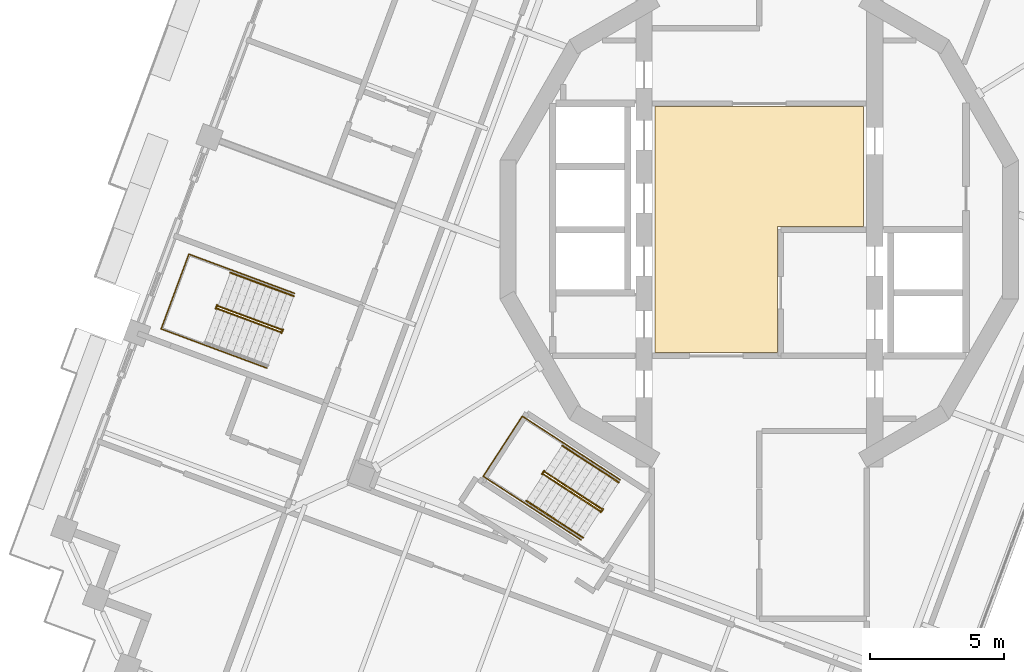
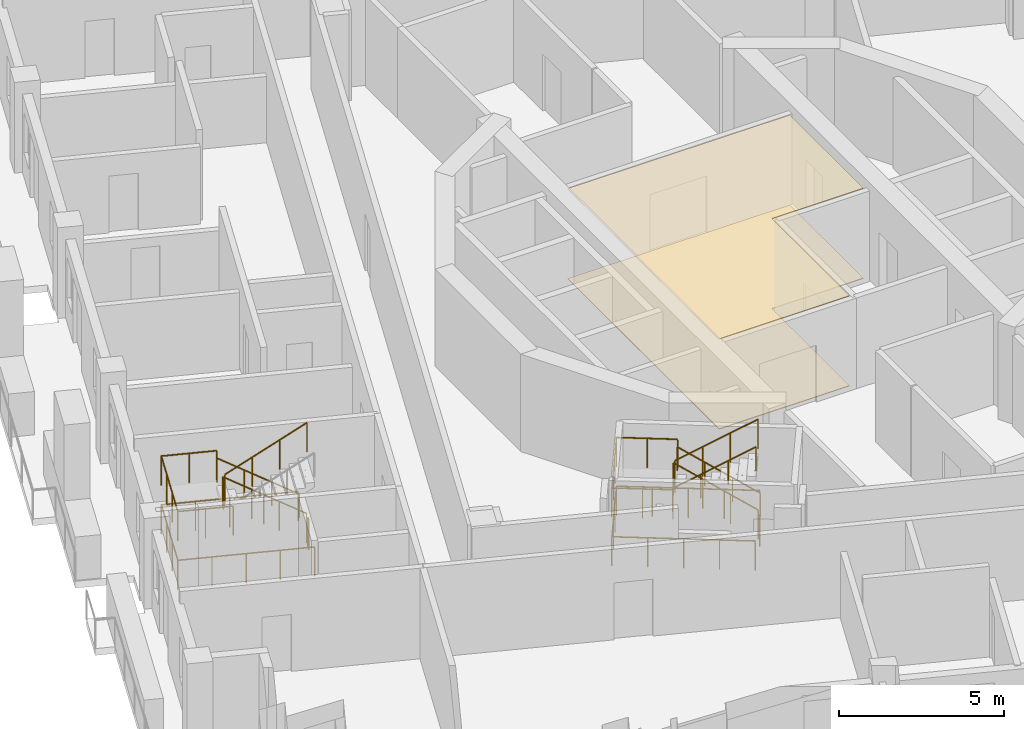
# One storey, part 14 of 19: 13 railings, 2 coverings.
"""IFC4 building model written with IfcOpenShell, lengths in metres."""

from ifc_helpers import new_model, si_unit, direction, frame, origin, origin_2d, place, context, subcontext, project, spatial, polyline, circle, outline, extrude, material, layer, layer_set, type_object, element, save


model = new_model("IFC4")

# Units and contexts
model_context = context("Model", 3, precision=1e-05, world=origin(), true_north=direction((0.0, 1.0)))
body_context = subcontext(model_context, "Body", "Model", "MODEL_VIEW")
ifc_project = project(units=[si_unit("LENGTHUNIT", "METRE"), si_unit("AREAUNIT", "SQUARE_METRE"), si_unit("VOLUMEUNIT", "CUBIC_METRE"), si_unit("PLANEANGLEUNIT", "RADIAN"), si_unit("MASSUNIT", "GRAM", prefix="KILO")], contexts=[model_context])

# Site, building, storey
site_placement = place(None, origin())
site = spatial("IfcSite", under=ifc_project, at=site_placement, CompositionType="ELEMENT")
building_placement = place(site_placement, origin())
building = spatial("IfcBuilding", under=site, at=building_placement, Name="Cantera Rosa Tower", CompositionType="ELEMENT")
storey_placement = place(building_placement, frame((0.0, 0.0, 331.300048828125)))
storey = spatial("IfcBuildingStorey", under=building, at=storey_placement, Name="L74", CompositionType="ELEMENT", Elevation=331.300048828125)

# Railings
ifc_material_1 = material(Name="Steel S355J2 (EN 10025-2)", Category="steel")
railing_type_1 = type_object("IfcRailingType", Name="STAIR GUARD 1100", PredefinedType="GUARDRAIL", material=ifc_material_1)
railing_1_placement = place(storey_placement, frame((-17.802490234375, -3.721923828125, 0.179931640625)))
element("IfcRailing", 1, at=railing_1_placement, inside=storey, type_object=railing_type_1, Name="L74 ST-63 stair guard 1", PredefinedType="GUARDRAIL", context=body_context, shape_type="SweptSolid", body=[
    extrude(circle(Radius=0.02392578125, at=origin_2d()), frame((0.0, 0.0, 1.076171875), z_axis=(-0.788747577403, 0.292306804437, 0.540771662738), x_axis=(-0.347500508527, -0.937679794265, 0.0)), (0.0, 0.0, 1.0), 2.995849609375),
    extrude(circle(Radius=0.02392578125, at=origin_2d()), frame((-2.363037109375, 0.875732421875, 2.6962890625), z_axis=(-0.671593765389, 0.740919573429, 0.0), x_axis=(-0.740919573429, -0.671593765389, 0.0)), (0.0, 0.0, 1.0), 0.056396484375),
    extrude(circle(Radius=0.02392578125, at=origin_2d()), frame((-2.40087890625, 0.91748046875, 2.6962890625), z_axis=(-0.348268249601, -0.937394914814, 0.0), x_axis=(0.937394914814, -0.348268249601, 0.0)), (0.0, 0.0, 1.0), 0.14990234375),
    extrude(circle(Radius=0.02099609375, at=origin_2d()), origin(), (0.0, 0.0, 1.0), 1.052001953125),
    extrude(circle(Radius=0.02099609375, at=origin_2d()), frame((-0.78759765625, 0.2919921875, 0.5400390625)), (0.0, 0.0, 1.0), 1.052001953125),
    extrude(circle(Radius=0.02099609375, at=origin_2d()), frame((-1.575439453125, 0.583740234375, 1.080078125)), (0.0, 0.0, 1.0), 1.052001953125),
    extrude(circle(Radius=0.02099609375, at=origin_2d()), frame((-2.363037109375, 0.875732421875, 1.6201171875)), (0.0, 0.0, 1.0), 1.052001953125),
    extrude(circle(Radius=0.02099609375, at=origin_2d()), frame((-2.40087890625, 0.91748046875, 1.6201171875)), (0.0, 0.0, 1.0), 1.052001953125),
    extrude(circle(Radius=0.02099609375, at=origin_2d()), frame((-2.453125, 0.77685546875, 1.6201171875)), (0.0, 0.0, 1.0), 1.052001953125),
])
railing_2_placement = place(storey_placement, frame((-20.19970703125, -2.93798828125, 1.97998046875)))
element("IfcRailing", 2, at=railing_2_placement, inside=storey, type_object=railing_type_1, Name="L74 ST-63 stair guard 2", PredefinedType="GUARDRAIL", context=body_context, shape_type="SweptSolid", body=[
    extrude(circle(Radius=0.02392578125, at=origin_2d()), frame((0.0, 0.0, 1.076171875), z_axis=(0.78878233546, -0.292319685639, 0.540713998944), x_axis=(0.347500508527, 0.937679794265, 0.0)), (0.0, 0.0, 1.0), 2.995849609375),
    extrude(circle(Radius=0.02099609375, at=origin_2d()), origin(), (0.0, 0.0, 1.0), 1.052001953125),
    extrude(circle(Radius=0.02099609375, at=origin_2d()), frame((0.78759765625, -0.2919921875, 0.5400390625)), (0.0, 0.0, 1.0), 1.052001953125),
    extrude(circle(Radius=0.02099609375, at=origin_2d()), frame((1.575439453125, -0.583740234375, 1.079833984375)), (0.0, 0.0, 1.0), 1.052001953125),
    extrude(circle(Radius=0.02099609375, at=origin_2d()), frame((2.363037109375, -0.875732421875, 1.619873046875)), (0.0, 0.0, 1.0), 1.052001953125),
])
railing_3_placement = place(storey_placement, frame((-17.74658203125, -3.71484375, 0.0)))
element("IfcRailing", 3, at=railing_3_placement, inside=storey, type_object=railing_type_1, Name="L74 ST-63 stair guard 3", PredefinedType="GUARDRAIL", context=body_context, shape_type="SweptSolid", body=[
    extrude(circle(Radius=0.02392578125, at=origin_2d()), frame((0.0, 0.0, 1.076171875), z_axis=(-0.348268249601, -0.937394914814, 0.0), x_axis=(0.937394914814, -0.348268249601, 0.0)), (0.0, 0.0, 1.0), 0.14990234375),
    extrude(circle(Radius=0.02099609375, at=origin_2d()), origin(), (0.0, 0.0, 1.0), 1.052001953125),
    extrude(circle(Radius=0.02099609375, at=origin_2d()), frame((-0.05224609375, -0.140625, 0.0)), (0.0, 0.0, 1.0), 1.052001953125),
])
railing_4_placement = place(storey_placement, frame((-17.31494140625, -2.37109375, 0.0)))
element("IfcRailing", 4, at=railing_4_placement, inside=storey, type_object=railing_type_1, Name="L74 ST-63 stair guard 4", PredefinedType="GUARDRAIL", context=body_context, shape_type="SweptSolid", body=[
    extrude(circle(Radius=0.02392578125, at=origin_2d()), frame((0.0, 0.0, 1.076171875), z_axis=(-0.937682096729, 0.3474942956, 0.0), x_axis=(-0.3474942956, -0.937682096729, 0.0)), (0.0, 0.0, 1.0), 4.197998046875),
    extrude(circle(Radius=0.02392578125, at=origin_2d()), frame((-3.936279296875, 1.458740234375, 1.076171875), z_axis=(-0.347472311651, -0.937690243436, 0.0), x_axis=(0.937690243436, -0.347472311651, 0.0)), (0.0, 0.0, 1.0), 2.969970703125),
    extrude(circle(Radius=0.02392578125, at=origin_2d()), frame((-4.96826171875, -1.326171875, 1.076171875), z_axis=(0.937682096729, -0.3474942956, 0.0), x_axis=(0.3474942956, 0.937682096729, 0.0)), (0.0, 0.0, 1.0), 4.197998046875),
    extrude(circle(Radius=0.02099609375, at=origin_2d()), origin(), (0.0, 0.0, 1.0), 1.052001953125),
    extrude(circle(Radius=0.02099609375, at=origin_2d()), frame((-0.984130859375, 0.36474609375, 0.0)), (0.0, 0.0, 1.0), 1.052001953125),
    extrude(circle(Radius=0.02099609375, at=origin_2d()), frame((-1.96826171875, 0.7294921875, 0.0)), (0.0, 0.0, 1.0), 1.052001953125),
    extrude(circle(Radius=0.02099609375, at=origin_2d()), frame((-2.9521484375, 1.093994140625, 0.0)), (0.0, 0.0, 1.0), 1.052001953125),
    extrude(circle(Radius=0.02099609375, at=origin_2d()), frame((-3.936279296875, 1.458740234375, 0.0)), (0.0, 0.0, 1.0), 1.052001953125),
    extrude(circle(Radius=0.02099609375, at=origin_2d()), frame((-4.2802734375, 0.530517578125, 0.0)), (0.0, 0.0, 1.0), 1.052001953125),
    extrude(circle(Radius=0.02099609375, at=origin_2d()), frame((-4.624267578125, -0.39794921875, 0.0)), (0.0, 0.0, 1.0), 1.052001953125),
    extrude(circle(Radius=0.02099609375, at=origin_2d()), frame((-4.96826171875, -1.326171875, 0.0)), (0.0, 0.0, 1.0), 1.052001953125),
    extrude(circle(Radius=0.02099609375, at=origin_2d()), frame((-3.984130859375, -1.69091796875, 0.0)), (0.0, 0.0, 1.0), 1.052001953125),
    extrude(circle(Radius=0.02099609375, at=origin_2d()), frame((-3.0, -2.0556640625, 0.0)), (0.0, 0.0, 1.0), 1.052001953125),
    extrude(circle(Radius=0.02099609375, at=origin_2d()), frame((-2.01611328125, -2.420166015625, 0.0)), (0.0, 0.0, 1.0), 1.052001953125),
    extrude(circle(Radius=0.02099609375, at=origin_2d()), frame((-1.031982421875, -2.784912109375, 0.0)), (0.0, 0.0, 1.0), 1.052001953125),
])
railing_5_placement = place(storey_placement, frame((-19.6552734375, -1.50390625, 1.800048828125)))
element("IfcRailing", 5, at=railing_5_placement, inside=storey, type_object=railing_type_1, Name="L74 ST-63 stair guard 5", PredefinedType="GUARDRAIL", context=body_context, shape_type="SweptSolid", body=[
    extrude(circle(Radius=0.02392578125, at=origin_2d()), frame((0.0, 0.0, 1.076171875), z_axis=(-0.937660486946, 0.347552602091, 0.0), x_axis=(-0.347552602091, -0.937660486946, 0.0)), (0.0, 0.0, 1.0), 1.7021484375),
    extrude(circle(Radius=0.02392578125, at=origin_2d()), frame((-1.595947265625, 0.591552734375, 1.076171875), z_axis=(-0.347472311651, -0.937690243436, 0.0), x_axis=(0.937690243436, -0.347472311651, 0.0)), (0.0, 0.0, 1.0), 2.969970703125),
    extrude(circle(Radius=0.02392578125, at=origin_2d()), frame((-2.6279296875, -2.193359375, 1.076171875), z_axis=(0.937660486946, -0.347552602091, 0.0), x_axis=(0.347552602091, 0.937660486946, 0.0)), (0.0, 0.0, 1.0), 1.7021484375),
    extrude(circle(Radius=0.02099609375, at=origin_2d()), origin(), (0.0, 0.0, 1.0), 1.052001953125),
    extrude(circle(Radius=0.02099609375, at=origin_2d()), frame((-0.7978515625, 0.2958984375, 0.0)), (0.0, 0.0, 1.0), 1.052001953125),
    extrude(circle(Radius=0.02099609375, at=origin_2d()), frame((-1.595947265625, 0.591552734375, 0.0)), (0.0, 0.0, 1.0), 1.052001953125),
    extrude(circle(Radius=0.02099609375, at=origin_2d()), frame((-1.93994140625, -0.336669921875, 0.0)), (0.0, 0.0, 1.0), 1.052001953125),
    extrude(circle(Radius=0.02099609375, at=origin_2d()), frame((-2.283935546875, -1.26513671875, 0.0)), (0.0, 0.0, 1.0), 1.052001953125),
    extrude(circle(Radius=0.02099609375, at=origin_2d()), frame((-2.6279296875, -2.193359375, 0.0)), (0.0, 0.0, 1.0), 1.052001953125),
    extrude(circle(Radius=0.02099609375, at=origin_2d()), frame((-1.830078125, -2.4892578125, 0.0)), (0.0, 0.0, 1.0), 1.052001953125),
    extrude(circle(Radius=0.02099609375, at=origin_2d()), frame((-1.031982421875, -2.784912109375, 0.0)), (0.0, 0.0, 1.0), 1.052001953125),
])
railing_6_placement = place(storey_placement, frame((-5.873291015625, -10.403076171875, 0.179931640625)))
element("IfcRailing", 6, at=railing_6_placement, inside=storey, type_object=railing_type_1, Name="L74 ST-64 stair guard 1", PredefinedType="GUARDRAIL", context=body_context, shape_type="SweptSolid", body=[
    extrude(circle(Radius=0.02392578125, at=origin_2d()), frame((0.0, 0.0, 1.076171875), z_axis=(-0.705462015847, 0.458138784, 0.540770005448), x_axis=(-0.544644381691, -0.838667095749, 0.0)), (0.0, 0.0, 1.0), 2.995849609375),
    extrude(circle(Radius=0.02392578125, at=origin_2d()), frame((-2.113525390625, 1.37255859375, 2.6962890625), z_axis=(-0.49520304401, 0.868777270193, 0.0), x_axis=(-0.868777270193, -0.49520304401, 0.0)), (0.0, 0.0, 1.0), 0.05615234375),
    extrude(circle(Radius=0.02392578125, at=origin_2d()), frame((-2.141357421875, 1.42138671875, 2.6962890625), z_axis=(-0.544129121324, -0.839001489467, 0.0), x_axis=(0.839001489467, -0.544129121324, 0.0)), (0.0, 0.0, 1.0), 0.14990234375),
    extrude(circle(Radius=0.02099609375, at=origin_2d()), origin(), (0.0, 0.0, 1.0), 1.052001953125),
    extrude(circle(Radius=0.02099609375, at=origin_2d()), frame((-0.70458984375, 0.45751953125, 0.5400390625)), (0.0, 0.0, 1.0), 1.052001953125),
    extrude(circle(Radius=0.02099609375, at=origin_2d()), frame((-1.408935546875, 0.9150390625, 1.080078125)), (0.0, 0.0, 1.0), 1.052001953125),
    extrude(circle(Radius=0.02099609375, at=origin_2d()), frame((-2.113525390625, 1.37255859375, 1.6201171875)), (0.0, 0.0, 1.0), 1.052001953125),
    extrude(circle(Radius=0.02099609375, at=origin_2d()), frame((-2.141357421875, 1.42138671875, 1.6201171875)), (0.0, 0.0, 1.0), 1.052001953125),
    extrude(circle(Radius=0.02099609375, at=origin_2d()), frame((-2.222900390625, 1.295654296875, 1.6201171875)), (0.0, 0.0, 1.0), 1.052001953125),
])
railing_7_placement = place(storey_placement, frame((-8.040283203125, -9.11279296875, 1.97998046875)))
element("IfcRailing", 7, at=railing_7_placement, inside=storey, type_object=railing_type_1, Name="L74 ST-64 stair guard 2", PredefinedType="GUARDRAIL", context=body_context, shape_type="SweptSolid", body=[
    extrude(circle(Radius=0.02392578125, at=origin_2d()), frame((0.0, 0.0, 1.076171875), z_axis=(0.705493103535, -0.458158972863, 0.540712341684), x_axis=(0.544644381691, 0.838667095749, 0.0)), (0.0, 0.0, 1.0), 2.995849609375),
    extrude(circle(Radius=0.02099609375, at=origin_2d()), origin(), (0.0, 0.0, 1.0), 1.052001953125),
    extrude(circle(Radius=0.02099609375, at=origin_2d()), frame((0.70458984375, -0.45751953125, 0.5400390625)), (0.0, 0.0, 1.0), 1.052001953125),
    extrude(circle(Radius=0.02099609375, at=origin_2d()), frame((1.408935546875, -0.9150390625, 1.079833984375)), (0.0, 0.0, 1.0), 1.052001953125),
    extrude(circle(Radius=0.02099609375, at=origin_2d()), frame((2.113525390625, -1.37255859375, 1.619873046875)), (0.0, 0.0, 1.0), 1.052001953125),
])
railing_8_placement = place(storey_placement, frame((-5.8173828125, -10.408447265625, 0.0)))
element("IfcRailing", 8, at=railing_8_placement, inside=storey, type_object=railing_type_1, Name="L74 ST-64 stair guard 3", PredefinedType="GUARDRAIL", context=body_context, shape_type="SweptSolid", body=[
    extrude(circle(Radius=0.02392578125, at=origin_2d()), frame((0.0, 0.0, 1.076171875), z_axis=(-0.543386185195, -0.839482848984, 0.0), x_axis=(0.839482848984, -0.543386185195, 0.0)), (0.0, 0.0, 1.0), 0.150146484375),
    extrude(circle(Radius=0.02099609375, at=origin_2d()), origin(), (0.0, 0.0, 1.0), 1.052001953125),
    extrude(circle(Radius=0.02099609375, at=origin_2d()), frame((-0.08154296875, -0.1259765625, 0.0)), (0.0, 0.0, 1.0), 1.052001953125),
])
railing_9_placement = place(storey_placement, frame((-5.18310546875, -9.318115234375, 0.0)))
element("IfcRailing", 9, at=railing_9_placement, inside=storey, type_object=railing_type_1, Name="L74 ST-64 stair guard 4", PredefinedType="GUARDRAIL", context=body_context, shape_type="SweptSolid", body=[
    extrude(circle(Radius=0.02392578125, at=origin_2d()), frame((0.0, 0.0, 1.076171875), z_axis=(-0.838659072691, 0.544656735746, 0.0), x_axis=(-0.544656735746, -0.838659072691, 0.0)), (0.0, 0.0, 1.0), 4.347900390625),
    extrude(circle(Radius=0.02392578125, at=origin_2d()), frame((-3.646484375, 2.3681640625, 1.076171875), z_axis=(-0.544615466587, -0.838685872991, 0.0), x_axis=(0.838685872991, -0.544615466587, 0.0)), (0.0, 0.0, 1.0), 2.669921875),
    extrude(circle(Radius=0.02392578125, at=origin_2d()), frame((-5.1005859375, 0.12890625, 1.076171875), z_axis=(0.838659072691, -0.544656735746, 0.0), x_axis=(0.544656735746, 0.838659072691, 0.0)), (0.0, 0.0, 1.0), 4.347900390625),
    extrude(circle(Radius=0.02099609375, at=origin_2d()), origin(), (0.0, 0.0, 1.0), 1.052001953125),
    extrude(circle(Radius=0.02099609375, at=origin_2d()), frame((-0.91162109375, 0.592041015625, 0.0)), (0.0, 0.0, 1.0), 1.052001953125),
    extrude(circle(Radius=0.02099609375, at=origin_2d()), frame((-1.8232421875, 1.18408203125, 0.0)), (0.0, 0.0, 1.0), 1.052001953125),
    extrude(circle(Radius=0.02099609375, at=origin_2d()), frame((-2.73486328125, 1.776123046875, 0.0)), (0.0, 0.0, 1.0), 1.052001953125),
    extrude(circle(Radius=0.02099609375, at=origin_2d()), frame((-3.646484375, 2.3681640625, 0.0)), (0.0, 0.0, 1.0), 1.052001953125),
    extrude(circle(Radius=0.02099609375, at=origin_2d()), frame((-4.131103515625, 1.621826171875, 0.0)), (0.0, 0.0, 1.0), 1.052001953125),
    extrude(circle(Radius=0.02099609375, at=origin_2d()), frame((-4.615966796875, 0.875244140625, 0.0)), (0.0, 0.0, 1.0), 1.052001953125),
    extrude(circle(Radius=0.02099609375, at=origin_2d()), frame((-5.1005859375, 0.12890625, 0.0)), (0.0, 0.0, 1.0), 1.052001953125),
    extrude(circle(Radius=0.02099609375, at=origin_2d()), frame((-4.18896484375, -0.463134765625, 0.0)), (0.0, 0.0, 1.0), 1.052001953125),
    extrude(circle(Radius=0.02099609375, at=origin_2d()), frame((-3.27734375, -1.05517578125, 0.0)), (0.0, 0.0, 1.0), 1.052001953125),
    extrude(circle(Radius=0.02099609375, at=origin_2d()), frame((-2.36572265625, -1.647216796875, 0.0)), (0.0, 0.0, 1.0), 1.052001953125),
    extrude(circle(Radius=0.02099609375, at=origin_2d()), frame((-1.4541015625, -2.2392578125, 0.0)), (0.0, 0.0, 1.0), 1.052001953125),
])
railing_10_placement = place(storey_placement, frame((-7.2763671875, -7.95849609375, 1.800048828125)))
element("IfcRailing", 10, at=railing_10_placement, inside=storey, type_object=railing_type_1, Name="L74 ST-64 stair guard 5", PredefinedType="GUARDRAIL", context=body_context, shape_type="SweptSolid", body=[
    extrude(circle(Radius=0.02392578125, at=origin_2d()), frame((0.0, 0.0, 1.076171875), z_axis=(-0.838702547883, 0.544589787064, 0.0), x_axis=(-0.544589787064, -0.838702547883, 0.0)), (0.0, 0.0, 1.0), 1.85205078125),
    extrude(circle(Radius=0.02392578125, at=origin_2d()), frame((-1.55322265625, 1.008544921875, 1.076171875), z_axis=(-0.544615466587, -0.838685872991, 0.0), x_axis=(0.838685872991, -0.544615466587, 0.0)), (0.0, 0.0, 1.0), 2.669921875),
    extrude(circle(Radius=0.02392578125, at=origin_2d()), frame((-3.00732421875, -1.230712890625, 1.076171875), z_axis=(0.838702547883, -0.544589787064, 0.0), x_axis=(0.544589787064, 0.838702547883, 0.0)), (0.0, 0.0, 1.0), 1.85205078125),
    extrude(circle(Radius=0.02099609375, at=origin_2d()), origin(), (0.0, 0.0, 1.0), 1.052001953125),
    extrude(circle(Radius=0.02099609375, at=origin_2d()), frame((-0.776611328125, 0.50439453125, 0.0)), (0.0, 0.0, 1.0), 1.052001953125),
    extrude(circle(Radius=0.02099609375, at=origin_2d()), frame((-1.55322265625, 1.008544921875, 0.0)), (0.0, 0.0, 1.0), 1.052001953125),
    extrude(circle(Radius=0.02099609375, at=origin_2d()), frame((-2.037841796875, 0.26220703125, 0.0)), (0.0, 0.0, 1.0), 1.052001953125),
    extrude(circle(Radius=0.02099609375, at=origin_2d()), frame((-2.522705078125, -0.484375, 0.0)), (0.0, 0.0, 1.0), 1.052001953125),
    extrude(circle(Radius=0.02099609375, at=origin_2d()), frame((-3.00732421875, -1.230712890625, 0.0)), (0.0, 0.0, 1.0), 1.052001953125),
    extrude(circle(Radius=0.02099609375, at=origin_2d()), frame((-2.230712890625, -1.73486328125, 0.0)), (0.0, 0.0, 1.0), 1.052001953125),
    extrude(circle(Radius=0.02099609375, at=origin_2d()), frame((-1.4541015625, -2.2392578125, 0.0)), (0.0, 0.0, 1.0), 1.052001953125),
])
ifc_material_2 = material(Name="Steel S355J2 (EN 10025-2)", Category="steel")
railing_type_2 = type_object("IfcRailingType", Name="STAIR HANDRAIL 900", PredefinedType="HANDRAIL", material=ifc_material_2)
railing_11_placement = place(storey_placement, frame((-17.341796875, -2.478515625, 0.179931640625)))
element("IfcRailing", 11, at=railing_11_placement, inside=storey, type_object=railing_type_2, Name="L74 ST-63 stair handrail 1", PredefinedType="HANDRAIL", context=body_context, shape_type="SweptSolid", body=[
    extrude(circle(Radius=0.02392578125, at=origin_2d()), frame((0.0, 0.0, 0.8759765625), z_axis=(-0.788747577403, 0.292306804437, 0.540771662738), x_axis=(-0.347500508527, -0.937679794265, 0.0)), (0.0, 0.0, 1.0), 2.995849609375),
    extrude(circle(Radius=0.02099609375, at=origin_2d()), origin(), (0.0, 0.0, 1.0), 0.851806640625),
    extrude(circle(Radius=0.02099609375, at=origin_2d()), frame((-0.78759765625, 0.2919921875, 0.5400390625)), (0.0, 0.0, 1.0), 0.851806640625),
    extrude(circle(Radius=0.02099609375, at=origin_2d()), frame((-1.575439453125, 0.583740234375, 1.080078125)), (0.0, 0.0, 1.0), 0.851806640625),
    extrude(circle(Radius=0.02099609375, at=origin_2d()), frame((-2.363037109375, 0.875732421875, 1.6201171875)), (0.0, 0.0, 1.0), 0.851806640625),
])
railing_12_placement = place(storey_placement, frame((-5.23291015625, -9.416748046875, 0.179931640625)))
element("IfcRailing", 12, at=railing_12_placement, inside=storey, type_object=railing_type_2, Name="L74 ST-64 stair handrail 1", PredefinedType="HANDRAIL", context=body_context, shape_type="SweptSolid", body=[
    extrude(circle(Radius=0.02392578125, at=origin_2d()), frame((0.0, 0.0, 0.8759765625), z_axis=(-0.705488352623, 0.458074394142, 0.540790193832), x_axis=(-0.544576236413, -0.838711346492, 0.0)), (0.0, 0.0, 1.0), 2.995849609375),
    extrude(circle(Radius=0.02099609375, at=origin_2d()), origin(), (0.0, 0.0, 1.0), 0.851806640625),
    extrude(circle(Radius=0.02099609375, at=origin_2d()), frame((-0.70458984375, 0.45751953125, 0.5400390625)), (0.0, 0.0, 1.0), 0.851806640625),
    extrude(circle(Radius=0.02099609375, at=origin_2d()), frame((-1.408935546875, 0.914794921875, 1.080078125)), (0.0, 0.0, 1.0), 0.851806640625),
    extrude(circle(Radius=0.02099609375, at=origin_2d()), frame((-2.113525390625, 1.372314453125, 1.6201171875)), (0.0, 0.0, 1.0), 0.851806640625),
])
railing_13_placement = place(storey_placement, frame((-8.6806640625, -10.09912109375, 1.97998046875)))
element("IfcRailing", 13, at=railing_13_placement, inside=storey, type_object=railing_type_2, Name="L74 ST-64 stair handrail 2", PredefinedType="HANDRAIL", context=body_context, shape_type="SweptSolid", body=[
    extrude(circle(Radius=0.02392578125, at=origin_2d()), frame((0.0, 0.0, 0.8759765625), z_axis=(0.705493103535, -0.458158972863, 0.540712341684), x_axis=(0.544644381691, 0.838667095749, 0.0)), (0.0, 0.0, 1.0), 2.995849609375),
    extrude(circle(Radius=0.02099609375, at=origin_2d()), origin(), (0.0, 0.0, 1.0), 0.851806640625),
    extrude(circle(Radius=0.02099609375, at=origin_2d()), frame((0.70458984375, -0.45751953125, 0.5400390625)), (0.0, 0.0, 1.0), 0.851806640625),
    extrude(circle(Radius=0.02099609375, at=origin_2d()), frame((1.408935546875, -0.9150390625, 1.079833984375)), (0.0, 0.0, 1.0), 0.851806640625),
    extrude(circle(Radius=0.02099609375, at=origin_2d()), frame((2.113525390625, -1.37255859375, 1.619873046875)), (0.0, 0.0, 1.0), 0.851806640625),
])

# Coverings
ifc_material_3 = material(Name="Limestone paving", Category="masonry")
ifc_layer_1 = layer(ifc_material_3, 0.02490234375)
ifc_layer_set_1 = layer_set([ifc_layer_1], Name="STONE FLOOR FINISH 25")
covering_type_1 = type_object("IfcCoveringType", Name="STONE FLOOR FINISH 25", PredefinedType="FLOORING", material=ifc_layer_set_1)
covering_1_placement = place(storey_placement, origin())
element("IfcCovering", 14, at=covering_1_placement, inside=storey, type_object=covering_type_1, Name="STONE FLOOR FINISH L74", PredefinedType="FLOORING", context=body_context, shape_type="SweptSolid", body=[
    extrude(outline(polyline([(3.8798828125, 4.580078125), (3.8798828125, 0.1201171875), (0.679931640625, 0.1201171875), (0.679931640625, -4.580078125), (-3.8798828125, -4.580078125), (-3.8798828125, 4.580078125), (3.8798828125, 4.580078125)])), origin(), (0.0, 0.0, 1.0), 0.02490234375),
])
ifc_material_4 = material(Name="Gypsum ceiling tile")
ifc_layer_2 = layer(ifc_material_4, 0.030029296875)
ifc_layer_set_2 = layer_set([ifc_layer_2], Name="SUSPENDED CEILING 30")
covering_type_2 = type_object("IfcCoveringType", Name="SUSPENDED CEILING 30", PredefinedType="CEILING", material=ifc_layer_set_2)
covering_2_placement = place(storey_placement, frame((0.0, 0.0, 3.320068359375)))
element("IfcCovering", 15, at=covering_2_placement, inside=storey, type_object=covering_type_2, Name="SUSPENDED CEILING L74", PredefinedType="CEILING", context=body_context, shape_type="SweptSolid", body=[
    extrude(outline(polyline([(3.8798828125, 4.580078125), (3.8798828125, 0.1201171875), (0.679931640625, 0.1201171875), (0.679931640625, -4.580078125), (-3.8798828125, -4.580078125), (-3.8798828125, 4.580078125), (3.8798828125, 4.580078125)])), origin(), (0.0, 0.0, 1.0), 0.02978515625),
])

save(model, "model.ifc")
